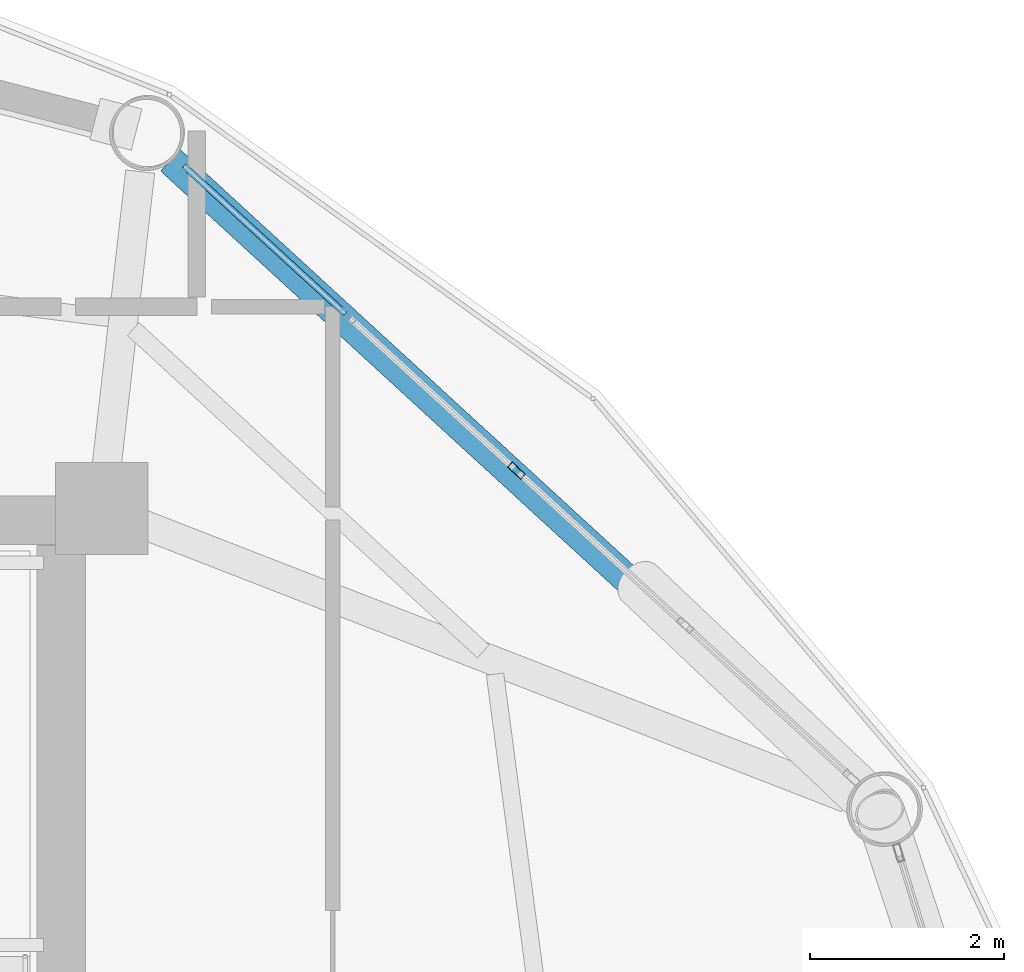
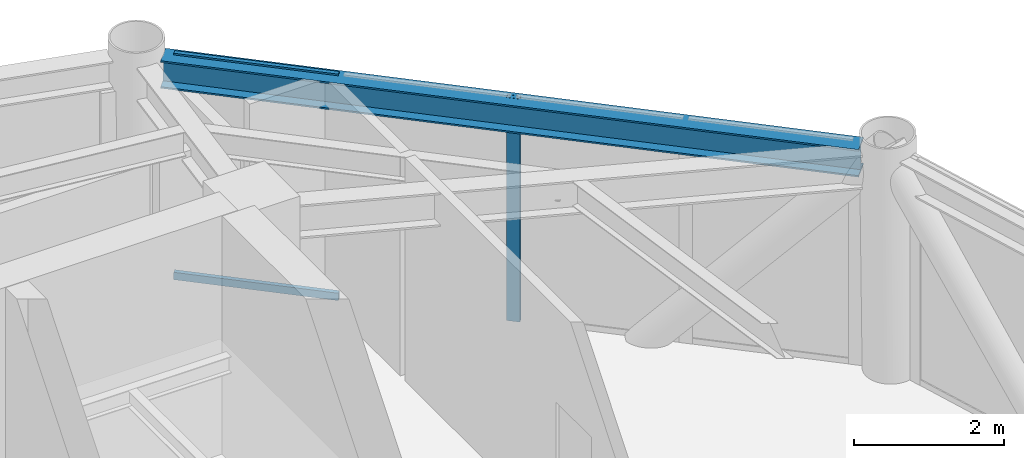
# One storey, part 20 of 27: 3 members, 1 beam, 1 element without a shape of its own.
"""IFC4 building model written with IfcOpenShell, lengths in metres."""

import ifcopenshell
import ifcopenshell.guid

model = None  # the IFC model being written
_history = None  # IfcOwnerHistory: only IFC2X3 demands one
_inside = {}  # id of a spatial element -> (the spatial element, [elements in it])
_under = {}  # id of a project, library or spatial element -> (it, [spatial elements below it])
_declared = {}  # id of a project -> (the project, [libraries it declares])
_typed = {}  # id of a type object -> (the type object, [elements of that type])
_made_of = {}  # id of a material, layer set ... -> (it, [elements and type objects made of it])


def new_model(schema):
    """Start an empty IFC model of exactly this schema.

    Asked for "IFC4X3", IfcOpenShell would pick the latest addendum, in which some entities
    have other attributes; the version numbers below select the first issue.
    IFC2X3 requires an IfcOwnerHistory on every rooted entity: one is made here for all.
    """
    global model, _history
    if schema == "IFC4X3":
        model = ifcopenshell.file(schema_version=(4, 3, 0, 0))
    else:
        model = ifcopenshell.file(schema=schema)
    _inside.clear()
    _under.clear()
    _declared.clear()
    _typed.clear()
    _made_of.clear()
    _history = None
    if model.schema == "IFC2X3":
        org = make("IfcOrganization", Name="unknown")
        user = make(
            "IfcPersonAndOrganization",
            ThePerson=make("IfcPerson", FamilyName="unknown"),
            TheOrganization=org,
        )
        app = make(
            "IfcApplication",
            ApplicationDeveloper=org,
            Version="unknown",
            ApplicationFullName="unknown",
            ApplicationIdentifier="unknown",
        )
        _history = make(
            "IfcOwnerHistory",
            OwningUser=user,
            OwningApplication=app,
            ChangeAction="ADDED",
            CreationDate=0,
        )
    return model


def make(cls, **values):
    """One entity of the class cls with the attributes given. An attribute that is None is left unset."""
    return model.create_entity(
        cls, **{name: value for name, value in values.items() if value is not None}
    )


def rooted(cls, **values):
    """An entity with a GlobalId (a new one), such as an element, a storey or a relation."""
    return make(cls, GlobalId=ifcopenshell.guid.new(), OwnerHistory=_history, **values)


def si_unit(unit_type, name, prefix=None):
    """IfcSIUnit, for example si_unit("LENGTHUNIT", "METRE", prefix="MILLI")."""
    return make("IfcSIUnit", UnitType=unit_type, Prefix=prefix, Name=name)


def assignment(units):
    """IfcUnitAssignment: the units of a project."""
    return None if units is None else make("IfcUnitAssignment", Units=units)


def point(xyz):
    """IfcCartesianPoint."""
    return None if xyz is None else make("IfcCartesianPoint", Coordinates=xyz)


def direction(xyz):
    """IfcDirection."""
    return None if xyz is None else make("IfcDirection", DirectionRatios=xyz)


def frame(location, z_axis=None, x_axis=None):
    """IfcAxis2Placement3D, a coordinate frame: its origin and axes. An axis left out is left unset."""
    return make(
        "IfcAxis2Placement3D",
        Location=point(location),
        Axis=direction(z_axis),
        RefDirection=direction(x_axis),
    )


def frame_2d(location, x_axis=None):
    """IfcAxis2Placement2D, a coordinate frame in the plane: its origin and x axis."""
    return make(
        "IfcAxis2Placement2D", Location=point(location), RefDirection=direction(x_axis)
    )


def origin():
    """The frame at (0, 0, 0) with its axes left unset."""
    return frame((0.0, 0.0, 0.0))


def origin_2d():
    """The frame at (0, 0) in the plane with its x axis left unset."""
    return frame_2d((0.0, 0.0))


def place(relative_to, where):
    """IfcLocalPlacement: puts the frame where relative to a parent placement (None: the world)."""
    return make(
        "IfcLocalPlacement", PlacementRelTo=relative_to, RelativePlacement=where
    )


def context(
    kind, dimensions, precision=None, world=None, true_north=None, identifier=None
):
    """IfcGeometricRepresentationContext, for example the 3D "Model" context."""
    return make(
        "IfcGeometricRepresentationContext",
        ContextIdentifier=identifier,
        ContextType=kind,
        CoordinateSpaceDimension=dimensions,
        Precision=precision,
        WorldCoordinateSystem=world,
        TrueNorth=true_north,
    )


def subcontext(parent, identifier, kind, view, scale=None):
    """IfcGeometricRepresentationSubContext, for example "Body" below "Model"."""
    return make(
        "IfcGeometricRepresentationSubContext",
        ContextIdentifier=identifier,
        ContextType=kind,
        ParentContext=parent,
        TargetScale=scale,
        TargetView=view,
    )


def project(units=None, contexts=None):
    """IfcProject with its units and contexts."""
    return rooted(
        "IfcProject",
        Name="project",
        RepresentationContexts=contexts,
        UnitsInContext=assignment(units),
    )


def spatial(cls, under=None, at=None, **own):
    """A site, building, storey or space (cls), placed at a placement, below another one or the project."""
    s = rooted(cls, ObjectPlacement=at, **own)
    if under is not None:
        _under.setdefault(under.id(), (under, []))[1].append(s)
    return s


def profile(cls, at=None, kind="AREA", **sizes):
    """A parametric profile (cls). Its sizes go by their IFC names, for example OverallWidth=200.0."""
    return make(cls, ProfileType=kind, Position=at, **sizes)


def hollow_rectangle(**sizes):
    """IfcRectangleHollowProfileDef."""
    return profile("IfcRectangleHollowProfileDef", **sizes)


def i_section(**sizes):
    """IfcIShapeProfileDef."""
    return profile("IfcIShapeProfileDef", **sizes)


def extrude(swept, where, along, depth):
    """IfcExtrudedAreaSolid: the profile swept, set in the frame where, extruded along a direction by depth."""
    return make(
        "IfcExtrudedAreaSolid",
        SweptArea=swept,
        Position=where,
        ExtrudedDirection=direction(along),
        Depth=depth,
    )


def shape(context_of_items, identifier, shape_type, items):
    """IfcShapeRepresentation: the items that make up one representation, for example the "Body"."""
    return make(
        "IfcShapeRepresentation",
        ContextOfItems=context_of_items,
        RepresentationIdentifier=identifier,
        RepresentationType=shape_type,
        Items=items,
    )


def material(Name=None, Category=None):
    """IfcMaterial."""
    return make("IfcMaterial", Name=Name, Category=Category)


def layer(
    of_material, thickness, ventilated=None, Name=None, Category=None, Priority=None
):
    """IfcMaterialLayer: one layer of a wall or slab, of a material (None: an air gap)."""
    return make(
        "IfcMaterialLayer",
        Material=of_material,
        LayerThickness=thickness,
        IsVentilated=ventilated,
        Name=Name,
        Category=Category,
        Priority=Priority,
    )


def layer_set(layers, Name=None):
    """IfcMaterialLayerSet."""
    return make("IfcMaterialLayerSet", MaterialLayers=layers, LayerSetName=Name)


def material_profile(
    of_material, cross_section, Name=None, Category=None, Priority=None
):
    """IfcMaterialProfile: a cross section and its material."""
    return make(
        "IfcMaterialProfile",
        Name=Name,
        Material=of_material,
        Profile=cross_section,
        Priority=Priority,
        Category=Category,
    )


def profile_set(profiles, Name=None, composite=None):
    """IfcMaterialProfileSet."""
    return make(
        "IfcMaterialProfileSet",
        Name=Name,
        MaterialProfiles=profiles,
        CompositeProfile=composite,
    )


def made_of(thing, what):
    """Note that an element or type object is made of a material, layer set ...; save() writes the relation."""
    if what is not None:
        _made_of.setdefault(what.id(), (what, []))[1].append(thing)
    return thing


def type_object(cls, material=None, **own):
    """A type object (cls), such as IfcWallType, which elements share."""
    return made_of(rooted(cls, **own), material)


def element(
    cls,
    number,
    at=None,
    inside=None,
    cuts=None,
    type_object=None,
    material=None,
    context=None,
    identifier="Body",
    shape_type=None,
    held_by="IfcProductDefinitionShape",
    body=None,
    shapes=None,
    **own,
):
    """One element of the class cls, such as IfcWall. Its Tag is "e" and its number.

    at: its placement. inside: the storey or other place that contains it. cuts: it is an
    opening in that element (IfcRelVoidsElement). A single representation is given by context,
    identifier, shape_type and body (its items); several are given by shapes. held_by: the class
    of the entity that holds the representations. save() writes the other relations.
    """
    e = rooted(cls, Tag="e%d" % number, ObjectPlacement=at, **own)
    if body is not None:
        shapes = [shape(context, identifier, shape_type, body)]
    if shapes is not None:
        e.Representation = make(held_by, Representations=shapes)
    if inside is not None:
        _inside.setdefault(inside.id(), (inside, []))[1].append(e)
    if cuts is not None:
        rooted(
            "IfcRelVoidsElement", RelatingBuildingElement=cuts, RelatedOpeningElement=e
        )
    if type_object is not None:
        _typed.setdefault(type_object.id(), (type_object, []))[1].append(e)
    return made_of(e, material)


def aggregate(whole, parts):
    """IfcRelAggregates: a whole, such as a stair, and the parts it consists of."""
    return rooted("IfcRelAggregates", RelatingObject=whole, RelatedObjects=parts)


def save(model, path):
    """Write the relations noted so far, then the file.

    IfcRelAggregates (storeys below a building ...), IfcRelContainedInSpatialStructure (elements
    in a storey), IfcRelDefinesByType, IfcRelAssociatesMaterial and IfcRelDeclares: one each for
    every whole, place, type object, material and project.
    """
    for whole, parts in _under.values():
        aggregate(whole, parts)
    for where, things in _inside.values():
        rooted(
            "IfcRelContainedInSpatialStructure",
            RelatedElements=things,
            RelatingStructure=where,
        )
    for kind, things in _typed.values():
        rooted("IfcRelDefinesByType", RelatedObjects=things, RelatingType=kind)
    for what, things in _made_of.values():
        rooted("IfcRelAssociatesMaterial", RelatedObjects=things, RelatingMaterial=what)
    for by, libraries in _declared.values():
        rooted("IfcRelDeclares", RelatingContext=by, RelatedDefinitions=libraries)
    model.write(path)


model = new_model("IFC4")

# Units and contexts
model_context = context("Model", 3, precision=1e-05, world=origin(), true_north=direction((0.0, 1.0)))
body_context = subcontext(model_context, "Body", "Model", "MODEL_VIEW")
ifc_project = project(units=[si_unit("LENGTHUNIT", "METRE"), si_unit("AREAUNIT", "SQUARE_METRE"), si_unit("VOLUMEUNIT", "CUBIC_METRE"), si_unit("PLANEANGLEUNIT", "RADIAN"), si_unit("MASSUNIT", "GRAM", prefix="KILO")], contexts=[model_context])

# Site, building, storey
site_placement = place(None, origin())
site = spatial("IfcSite", under=ifc_project, at=site_placement, CompositionType="ELEMENT")
building_placement = place(site_placement, origin())
building = spatial("IfcBuilding", under=site, at=building_placement, Name="Varnakorn Sky Granary", CompositionType="ELEMENT")
storey_placement = place(building_placement, frame((0.0, 0.0, 142.199951171875)))
storey = spatial("IfcBuildingStorey", under=building, at=storey_placement, Name="L35", CompositionType="ELEMENT", Elevation=142.199951171875)

# Beam
ifc_material_1 = material(Name="Steel S355JR", Category="steel")
ifc_material_profile_1 = material_profile(ifc_material_1, i_section(OverallWidth=0.300048828125, OverallDepth=0.449951171875, WebThickness=0.013916015625, FlangeThickness=0.02587890625, at=origin_2d()), Name="HE 450 B")
ifc_profile_set_1 = profile_set([ifc_material_profile_1], Name="Steel S355JR")
beam_type = type_object("IfcBeamType", Name="BM-SPD-Z3", PredefinedType="SPANDREL", material=ifc_profile_set_1)
beam_placement = place(storey_placement, frame((16.169921875, 9.747802734375, 3.4150390625), z_axis=(-0.736926112042, 0.675973302276, 0.0), x_axis=(-0.675973302276, -0.736926112042, 0.0)))
element("IfcBeam", 1, at=beam_placement, inside=storey, type_object=beam_type, Name="Perimeter Spandrel Ring Beam RB02 L35", PredefinedType="SPANDREL", context=body_context, shape_type="SweptSolid", body=[
    extrude(i_section(OverallWidth=0.300048828125, OverallDepth=0.449951171875, WebThickness=0.013916015625, FlangeThickness=0.02587890625, at=origin_2d()), origin(), (0.0, 0.0, 1.0), 9.556884765625),
])

# Curtain wall, members
ifc_material_2 = material(Name="Anodised Bronze Aluminium Alloy 6063-T6", Category="aluminium")
ifc_layer = layer(ifc_material_2, 0.179931640625, Name="Anodised Bronze Aluminium Alloy 6063-T6")
ifc_layer_set = layer_set([ifc_layer], Name="Anodised Bronze Aluminium Alloy 6063-T6")
curtain_wall_type = type_object("IfcCurtainWallType", Name="CW-FRM-2", PredefinedType="USERDEFINED", material=ifc_layer_set)
curtain_wall_placement = place(storey_placement, origin())
curtain_wall = element("IfcCurtainWall", 2, at=curtain_wall_placement, inside=storey, type_object=curtain_wall_type, Name="Unitised Curtain Wall CW4 CW-L35-B02", ObjectType="CURTAIN WALL", PredefinedType="USERDEFINED")
ifc_material_profile_2 = material_profile(ifc_material_2, hollow_rectangle(XDim=0.070068359375, YDim=0.18505859375, WallThickness=0.00390625, at=origin_2d()), Name="ALU MULL 70x185")
ifc_profile_set_2 = profile_set([ifc_material_profile_2], Name="Anodised Bronze Aluminium Alloy 6063-T6")
member_type_1 = type_object("IfcMemberType", Name="CW-FRM-2-MULL", PredefinedType="MULLION", material=ifc_profile_set_2)
member_1_placement = place(storey_placement, frame((12.6943359375, 13.010009765625, 0.0), z_axis=(0.0, 0.0, 1.0), x_axis=(0.675684798243, 0.737190649305, 0.0)))
member_1 = element("IfcMember", 3, at=member_1_placement, type_object=member_type_1, Name="CW4 mullion 3", PredefinedType="MULLION", context=body_context, shape_type="SweptSolid", body=[
    extrude(hollow_rectangle(XDim=0.070068359375, YDim=0.18505859375, WallThickness=0.00390625, at=origin_2d()), origin(), (0.0, 0.0, 1.0), 3.64013671875),
])
ifc_material_profile_3 = material_profile(ifc_material_2, hollow_rectangle(XDim=0.06494140625, YDim=0.1201171875, WallThickness=0.00341796875, at=origin_2d()), Name="ALU TRAN 65x120")
ifc_profile_set_3 = profile_set([ifc_material_profile_3], Name="Anodised Bronze Aluminium Alloy 6063-T6")
member_type_2 = type_object("IfcMemberType", Name="CW-FRM-2-TRAN", PredefinedType="USERDEFINED", material=ifc_profile_set_3)
member_2_placement = place(storey_placement, frame((9.267822265625, 16.15087890625, 0.032470703125), z_axis=(0.737145148517, -0.675734437496, 0.0), x_axis=(0.675734437496, 0.737145148517, 0.0)))
member_2 = element("IfcMember", 4, at=member_2_placement, type_object=member_type_2, Name="CW4 transom 1.1", ObjectType="TRANSOM", PredefinedType="USERDEFINED", context=body_context, shape_type="SweptSolid", body=[
    extrude(hollow_rectangle(XDim=0.06494140625, YDim=0.1201171875, WallThickness=0.00341796875, at=origin_2d()), origin(), (0.0, 0.0, 1.0), 2.254150390625),
])
member_3_placement = place(storey_placement, frame((9.267822265625, 16.15087890625, 3.607666015625), z_axis=(0.737145148517, -0.675734437496, 0.0), x_axis=(0.675734437496, 0.737145148517, 0.0)))
member_3 = element("IfcMember", 5, at=member_3_placement, type_object=member_type_2, Name="CW4 transom 1.2", ObjectType="TRANSOM", PredefinedType="USERDEFINED", context=body_context, shape_type="SweptSolid", body=[
    extrude(hollow_rectangle(XDim=0.06494140625, YDim=0.1201171875, WallThickness=0.00341796875, at=origin_2d()), origin(), (0.0, 0.0, 1.0), 2.254150390625),
])
aggregate(curtain_wall, [member_1, member_2, member_3])

save(model, "model.ifc")
